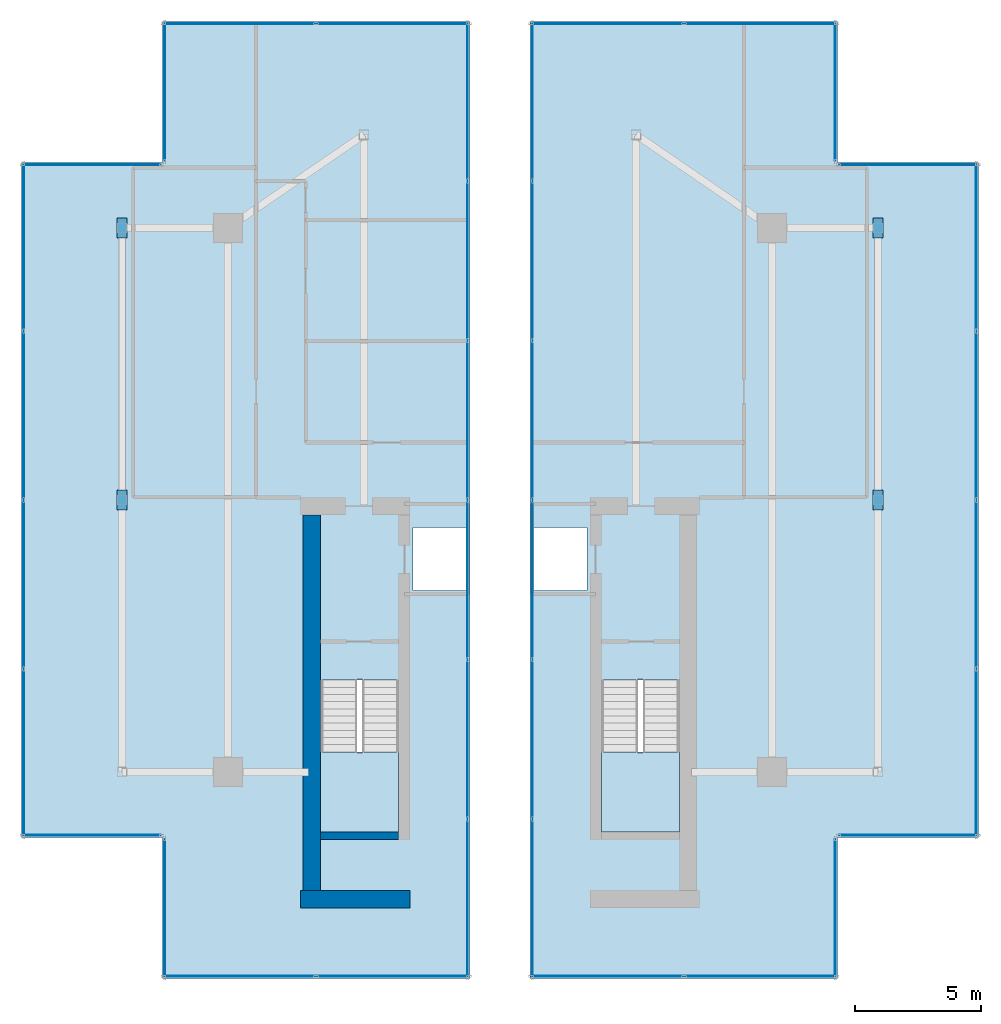
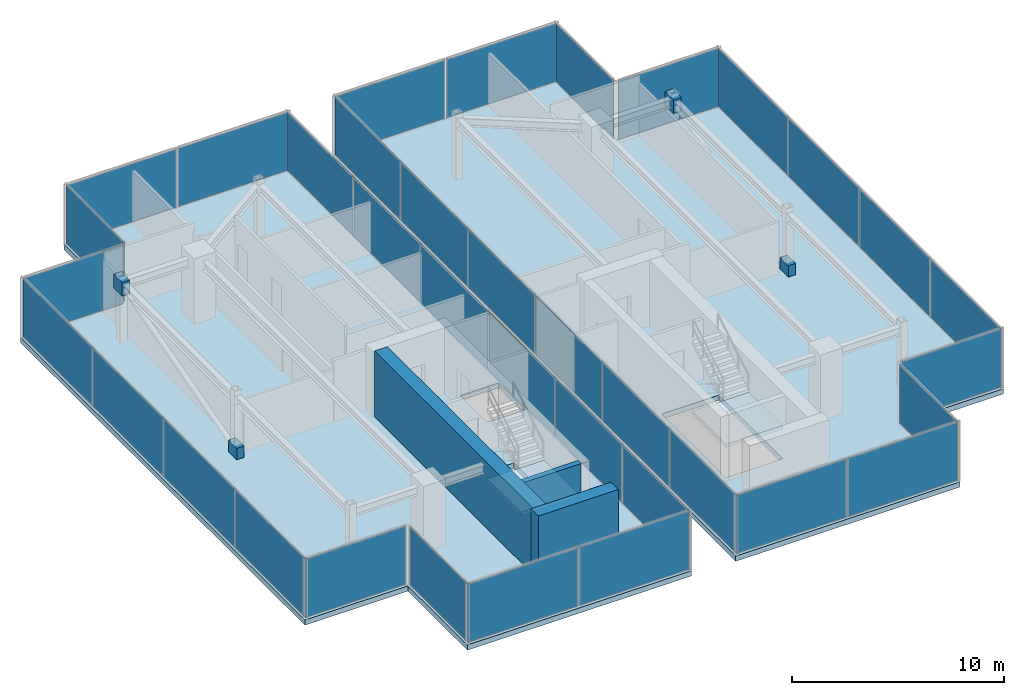
# One storey, part 22 of 25: 40 plates, 4 slabs, 3 walls, 18 elements without a shape of their own.
"""IFC4 building model written with IfcOpenShell, lengths in metres."""

from ifc_helpers import new_model, si_unit, direction, frame, frame_2d, origin, origin_2d, place, context, subcontext, project, spatial, polyline, rectangle, outline, extrude, source, transform, mapped, material, layer, layer_set, type_object, type_shapes, element, aggregate, save


model = new_model("IFC4")

# Units and contexts
model_context = context("Model", 3, precision=1e-05, world=origin(), true_north=direction((0.0, 1.0)))
body_context = subcontext(model_context, "Body", "Model", "MODEL_VIEW")
ifc_project = project(units=[si_unit("LENGTHUNIT", "METRE"), si_unit("AREAUNIT", "SQUARE_METRE"), si_unit("VOLUMEUNIT", "CUBIC_METRE"), si_unit("PLANEANGLEUNIT", "RADIAN"), si_unit("MASSUNIT", "GRAM", prefix="KILO")], contexts=[model_context])

# Site, building, storey
site_placement = place(None, origin())
site = spatial("IfcSite", under=ifc_project, at=site_placement, CompositionType="ELEMENT")
building_placement = place(site_placement, origin())
building = spatial("IfcBuilding", under=site, at=building_placement, Name="Krantzveldt Concourse Tower", CompositionType="ELEMENT")
storey_placement = place(building_placement, frame((0.0, 0.0, 370.85009765625)))
storey = spatial("IfcBuildingStorey", under=building, at=storey_placement, Name="L91", CompositionType="ELEMENT", Elevation=370.85009765625)

# Stair, slab
ifc_material_1 = material(Name="Precast concrete C40/50", Category="concrete")
stair_type = type_object("IfcStairType", Name="STR-CORE-DOGLEG", PredefinedType="HALF_TURN_STAIR", material=ifc_material_1)
stair_1_placement = place(storey_placement, origin())
stair_1 = element("IfcStair", 1, at=stair_1_placement, inside=storey, type_object=stair_type, Name="L91 Protected Escape Stair ST-1", PredefinedType="HALF_TURN_STAIR")
ifc_layer_1 = layer(ifc_material_1, 0.199951171875, Name="Precast concrete C40/50", Category="concrete")
ifc_layer_set_1 = layer_set([ifc_layer_1], Name="Precast concrete C40/50 (SL-LANDING-200)")
slab_type_1 = type_object("IfcSlabType", Name="SL-LANDING-200", PredefinedType="LANDING", material=ifc_layer_set_1)
slab_1_placement = place(storey_placement, frame((0.0, 0.0, 1.699951171875)))
slab_1 = element("IfcSlab", 2, at=slab_1_placement, type_object=slab_type_1, Name="ST-1 landing 1", PredefinedType="LANDING", context=body_context, shape_type="SweptSolid", body=[
    extrude(outline(polyline([(28.8798828125, 16.699951171875), (28.8798828125, 13.52001953125), (31.97998046875, 13.52001953125), (31.97998046875, 16.699951171875), (28.8798828125, 16.699951171875)])), origin(), (0.0, 0.0, 1.0), 0.199951171875),
])
aggregate(stair_1, [slab_1])

stair_2_placement = place(storey_placement, origin())
stair_2 = element("IfcStair", 3, at=stair_2_placement, inside=storey, type_object=stair_type, Name="L91 Protected Escape Stair ST-2", PredefinedType="HALF_TURN_STAIR")
slab_2_placement = place(storey_placement, frame((0.0, 0.0, 1.699951171875)))
slab_2 = element("IfcSlab", 4, at=slab_2_placement, type_object=slab_type_1, Name="ST-2 landing 1", PredefinedType="LANDING", context=body_context, shape_type="SweptSolid", body=[
    extrude(outline(polyline([(40.02001953125, 16.699951171875), (40.02001953125, 13.52001953125), (43.1201171875, 13.52001953125), (43.1201171875, 16.699951171875), (40.02001953125, 16.699951171875)])), origin(), (0.0, 0.0, 1.0), 0.199951171875),
])
aggregate(stair_2, [slab_2])

# Slabs
ifc_material_2 = material(Name="Concrete C40/50", Category="concrete")
ifc_layer_2 = layer(ifc_material_2, 0.300048828125, Name="Concrete C40/50", Category="concrete")
ifc_layer_set_2 = layer_set([ifc_layer_2], Name="Concrete C40/50 (SL-SL-CRN300)")
slab_type_2 = type_object("IfcSlabType", Name="SL-SL-CRN300", PredefinedType="FLOOR", material=ifc_layer_set_2)
slab_3_placement = place(storey_placement, frame((0.0, 0.0, -0.300048828125)))
element("IfcSlab", 5, at=slab_3_placement, inside=storey, type_object=slab_type_2, Name="SL-L91-WEST", PredefinedType="FLOOR", context=body_context, shape_type="SweptSolid", body=[
    extrude(outline(polyline([(22.60009765625, 7.699951171875), (34.800048828125, 7.699951171875), (34.800048828125, 45.699951171875), (22.60009765625, 45.699951171875), (22.60009765625, 40.10009765625), (17.0, 40.10009765625), (17.0, 13.300048828125), (22.60009765625, 13.300048828125), (22.60009765625, 7.699951171875)]), holes=[polyline([(28.8798828125, 19.547607421875), (28.8798828125, 13.52001953125), (31.97998046875, 13.52001953125), (31.97998046875, 19.547607421875), (28.8798828125, 19.547607421875)]), polyline([(32.550048828125, 23.10009765625), (34.64990234375, 23.10009765625), (34.64990234375, 25.60009765625), (32.550048828125, 25.60009765625), (32.550048828125, 23.10009765625)])]), origin(), (0.0, 0.0, 1.0), 0.300048828125),
])
slab_4_placement = place(storey_placement, frame((0.0, 0.0, -0.300048828125)))
element("IfcSlab", 6, at=slab_4_placement, inside=storey, type_object=slab_type_2, Name="SL-L91-EAST", PredefinedType="FLOOR", context=body_context, shape_type="SweptSolid", body=[
    extrude(outline(polyline([(37.199951171875, 7.699951171875), (49.39990234375, 7.699951171875), (49.39990234375, 13.300048828125), (55.0, 13.300048828125), (55.0, 40.10009765625), (49.39990234375, 40.10009765625), (49.39990234375, 45.699951171875), (37.199951171875, 45.699951171875), (37.199951171875, 7.699951171875)]), holes=[polyline([(40.02001953125, 19.547607421875), (40.02001953125, 13.52001953125), (43.1201171875, 13.52001953125), (43.1201171875, 19.547607421875), (40.02001953125, 19.547607421875)]), polyline([(37.35009765625, 23.10009765625), (39.449951171875, 23.10009765625), (39.449951171875, 25.60009765625), (37.35009765625, 25.60009765625), (37.35009765625, 23.10009765625)])]), origin(), (0.0, 0.0, 1.0), 0.300048828125),
])

# Plates
ifc_material_3 = material(Name="Steel S355J2", Category="steel")
ifc_layer_3 = layer(ifc_material_3, 0.0400390625, Name="Steel S355J2", Category="steel")
ifc_layer_set_3 = layer_set([ifc_layer_3], Name="Steel S355J2 (PL-GUSSET-40)")
plate_type_1 = type_object("IfcPlateType", Name="PL-GUSSET-40", PredefinedType="USERDEFINED", material=ifc_layer_set_3)
shared_shape_1 = source(origin(), body_context, "Body", "SweptSolid", [
    extrude(rectangle(XDim=0.39990234375, YDim=0.800048828125, at=origin_2d()), origin(), (0.0, 0.0, 1.0), 0.800048828125),
])
type_shapes(plate_type_1, [shared_shape_1])
for number, where, z_axis, x_axis, name in (
    (7, (21.0, 26.699951171875, -0.14990234375), (0.0, 0.0, 1.0), (1.0, 0.0, 0.0), "CBR-L91-WEST-GP1"),
    (8, (21.0, 37.5, 2.85009765625), (0.0, 0.0, 1.0), (1.0, 0.0, 0.0), "CBR-L91-WEST-GP2"),
    (9, (51.0, 26.699951171875, -0.14990234375), (0.0, 0.0, 1.0), (1.0, 0.0, 0.0), "CBR-L91-EAST-GP1"),
    (10, (51.0, 37.5, 2.85009765625), (0.0, 0.0, 1.0), (1.0, 0.0, 0.0), "CBR-L91-EAST-GP2"),
):
    element("IfcPlate", number, at=place(storey_placement, frame(where, z_axis=z_axis, x_axis=x_axis)), inside=storey, type_object=plate_type_1, Name=name, ObjectType="GUSSET PLATE", PredefinedType="USERDEFINED", context=body_context, shape_type="MappedRepresentation", body=[
        mapped(shared_shape_1, transform((0.0, 0.0, 0.0), x_axis=(1.0, 0.0, 0.0), y_axis=(0.0, 1.0, 0.0), z_axis=(0.0, 0.0, 1.0), scale=1.0)),
    ])

# Curtain wall, plate
ifc_material_4 = material(Name="Anodised aluminium 6063-T6", Category="aluminium")
curtain_wall_type = type_object("IfcCurtainWallType", Name="CW7", PredefinedType="USERDEFINED", material=ifc_material_4)
curtain_wall_1_placement = place(storey_placement, origin())
curtain_wall_1 = element("IfcCurtainWall", 11, at=curtain_wall_1_placement, inside=storey, type_object=curtain_wall_type, Name="CW-L91-WEST-03", ObjectType="UNITISED CURTAIN WALL", PredefinedType="USERDEFINED")
ifc_material_5 = material(Name="Bronze-tinted laminated low-E IGU glass", Category="glass")
ifc_layer_4 = layer(ifc_material_5, 0.031982421875, Name="Bronze-tinted laminated low-E IGU glass", Category="glass")
ifc_layer_set_4 = layer_set([ifc_layer_4], Name="Bronze-tinted laminated low-E IGU glass (CW-GLZ-32)")
plate_type_2 = type_object("IfcPlateType", Name="CW-GLZ-32", PredefinedType="CURTAIN_PANEL", material=ifc_layer_set_4)
shared_shape_2 = source(origin(), body_context, "Body", "SweptSolid", [
    extrude(rectangle(XDim=5.4599609375, YDim=0.031982421875, at=origin_2d()), origin(), (0.0, 0.0, 1.0), 3.360107421875),
])
plate_1_placement = place(storey_placement, frame((22.68994140625, 42.89990234375, 0.06982421875), z_axis=(0.0, 0.0, 1.0), x_axis=(0.0, -1.0, 0.0)))
plate_1 = element("IfcPlate", 12, at=plate_1_placement, type_object=plate_type_2, Name="CW-CRN panel 1.1", PredefinedType="CURTAIN_PANEL", context=body_context, shape_type="MappedRepresentation", body=[
    mapped(shared_shape_2, transform((0.0, 0.0, 0.0), x_axis=(1.0, 0.0, 0.0), y_axis=(0.0, 1.0, 0.0), z_axis=(0.0, 0.0, 1.0), scale=1.0)),
])
aggregate(curtain_wall_1, [plate_1])

curtain_wall_2_placement = place(storey_placement, origin())
curtain_wall_2 = element("IfcCurtainWall", 13, at=curtain_wall_2_placement, inside=storey, type_object=curtain_wall_type, Name="CW-L91-WEST-04", ObjectType="UNITISED CURTAIN WALL", PredefinedType="USERDEFINED")
plate_2_placement = place(storey_placement, frame((19.800048828125, 40.010009765625, 0.06982421875), z_axis=(0.0, 0.0, 1.0), x_axis=(-1.0, 0.0, 0.0)))
plate_2 = element("IfcPlate", 14, at=plate_2_placement, type_object=plate_type_2, Name="CW-CRN panel 1.1", PredefinedType="CURTAIN_PANEL", context=body_context, shape_type="MappedRepresentation", body=[
    mapped(shared_shape_2, transform((0.0, 0.0, 0.0), x_axis=(1.0, 0.0, 0.0), y_axis=(0.0, 1.0, 0.0), z_axis=(0.0, 0.0, 1.0), scale=1.0)),
])
aggregate(curtain_wall_2, [plate_2])

curtain_wall_3_placement = place(storey_placement, origin())
curtain_wall_3 = element("IfcCurtainWall", 15, at=curtain_wall_3_placement, inside=storey, type_object=curtain_wall_type, Name="CW-L91-WEST-06", ObjectType="UNITISED CURTAIN WALL", PredefinedType="USERDEFINED")
plate_3_placement = place(storey_placement, frame((19.800048828125, 13.389892578125, 0.06982421875), z_axis=(0.0, 0.0, 1.0), x_axis=(1.0, 0.0, 0.0)))
plate_3 = element("IfcPlate", 16, at=plate_3_placement, type_object=plate_type_2, Name="CW-CRN panel 1.1", PredefinedType="CURTAIN_PANEL", context=body_context, shape_type="MappedRepresentation", body=[
    mapped(shared_shape_2, transform((0.0, 0.0, 0.0), x_axis=(1.0, 0.0, 0.0), y_axis=(0.0, 1.0, 0.0), z_axis=(0.0, 0.0, 1.0), scale=1.0)),
])
aggregate(curtain_wall_3, [plate_3])

curtain_wall_4_placement = place(storey_placement, origin())
curtain_wall_4 = element("IfcCurtainWall", 17, at=curtain_wall_4_placement, inside=storey, type_object=curtain_wall_type, Name="CW-L91-WEST-07", ObjectType="UNITISED CURTAIN WALL", PredefinedType="USERDEFINED")
plate_4_placement = place(storey_placement, frame((22.68994140625, 10.5, 0.06982421875), z_axis=(0.0, 0.0, 1.0), x_axis=(0.0, -1.0, 0.0)))
plate_4 = element("IfcPlate", 18, at=plate_4_placement, type_object=plate_type_2, Name="CW-CRN panel 1.1", PredefinedType="CURTAIN_PANEL", context=body_context, shape_type="MappedRepresentation", body=[
    mapped(shared_shape_2, transform((0.0, 0.0, 0.0), x_axis=(1.0, 0.0, 0.0), y_axis=(0.0, 1.0, 0.0), z_axis=(0.0, 0.0, 1.0), scale=1.0)),
])
aggregate(curtain_wall_4, [plate_4])

curtain_wall_5_placement = place(storey_placement, origin())
curtain_wall_5 = element("IfcCurtainWall", 19, at=curtain_wall_5_placement, inside=storey, type_object=curtain_wall_type, Name="CW-L91-EAST-01", ObjectType="UNITISED CURTAIN WALL", PredefinedType="USERDEFINED")
plate_5_placement = place(storey_placement, frame((49.31005859375, 10.5, 0.06982421875), z_axis=(0.0, 0.0, 1.0), x_axis=(0.0, 1.0, 0.0)))
plate_5 = element("IfcPlate", 20, at=plate_5_placement, type_object=plate_type_2, Name="CW-CRN panel 1.1", PredefinedType="CURTAIN_PANEL", context=body_context, shape_type="MappedRepresentation", body=[
    mapped(shared_shape_2, transform((0.0, 0.0, 0.0), x_axis=(1.0, 0.0, 0.0), y_axis=(0.0, 1.0, 0.0), z_axis=(0.0, 0.0, 1.0), scale=1.0)),
])
aggregate(curtain_wall_5, [plate_5])

curtain_wall_6_placement = place(storey_placement, origin())
curtain_wall_6 = element("IfcCurtainWall", 21, at=curtain_wall_6_placement, inside=storey, type_object=curtain_wall_type, Name="CW-L91-EAST-02", ObjectType="UNITISED CURTAIN WALL", PredefinedType="USERDEFINED")
plate_6_placement = place(storey_placement, frame((52.199951171875, 13.389892578125, 0.06982421875), z_axis=(0.0, 0.0, 1.0), x_axis=(1.0, 0.0, 0.0)))
plate_6 = element("IfcPlate", 22, at=plate_6_placement, type_object=plate_type_2, Name="CW-CRN panel 1.1", PredefinedType="CURTAIN_PANEL", context=body_context, shape_type="MappedRepresentation", body=[
    mapped(shared_shape_2, transform((0.0, 0.0, 0.0), x_axis=(1.0, 0.0, 0.0), y_axis=(0.0, 1.0, 0.0), z_axis=(0.0, 0.0, 1.0), scale=1.0)),
])
aggregate(curtain_wall_6, [plate_6])

curtain_wall_7_placement = place(storey_placement, origin())
curtain_wall_7 = element("IfcCurtainWall", 23, at=curtain_wall_7_placement, inside=storey, type_object=curtain_wall_type, Name="CW-L91-EAST-04", ObjectType="UNITISED CURTAIN WALL", PredefinedType="USERDEFINED")
plate_7_placement = place(storey_placement, frame((52.199951171875, 40.010009765625, 0.06982421875), z_axis=(0.0, 0.0, 1.0), x_axis=(-1.0, 0.0, 0.0)))
plate_7 = element("IfcPlate", 24, at=plate_7_placement, type_object=plate_type_2, Name="CW-CRN panel 1.1", PredefinedType="CURTAIN_PANEL", context=body_context, shape_type="MappedRepresentation", body=[
    mapped(shared_shape_2, transform((0.0, 0.0, 0.0), x_axis=(1.0, 0.0, 0.0), y_axis=(0.0, 1.0, 0.0), z_axis=(0.0, 0.0, 1.0), scale=1.0)),
])
aggregate(curtain_wall_7, [plate_7])

curtain_wall_8_placement = place(storey_placement, origin())
curtain_wall_8 = element("IfcCurtainWall", 25, at=curtain_wall_8_placement, inside=storey, type_object=curtain_wall_type, Name="CW-L91-EAST-05", ObjectType="UNITISED CURTAIN WALL", PredefinedType="USERDEFINED")
plate_8_placement = place(storey_placement, frame((49.31005859375, 42.89990234375, 0.06982421875), z_axis=(0.0, 0.0, 1.0), x_axis=(0.0, 1.0, 0.0)))
plate_8 = element("IfcPlate", 26, at=plate_8_placement, type_object=plate_type_2, Name="CW-CRN panel 1.1", PredefinedType="CURTAIN_PANEL", context=body_context, shape_type="MappedRepresentation", body=[
    mapped(shared_shape_2, transform((0.0, 0.0, 0.0), x_axis=(1.0, 0.0, 0.0), y_axis=(0.0, 1.0, 0.0), z_axis=(0.0, 0.0, 1.0), scale=1.0)),
])
aggregate(curtain_wall_8, [plate_8])

# Curtain wall, plates
curtain_wall_9_placement = place(storey_placement, origin())
curtain_wall_9 = element("IfcCurtainWall", 27, at=curtain_wall_9_placement, inside=storey, type_object=curtain_wall_type, Name="CW-L91-WEST-05", ObjectType="UNITISED CURTAIN WALL", PredefinedType="USERDEFINED")
shared_shape_3 = source(origin(), body_context, "Body", "SweptSolid", [
    extrude(rectangle(XDim=6.594970703125, YDim=0.031982421875, at=origin_2d()), origin(), (0.0, 0.0, 1.0), 3.360107421875),
])
plate_9_placement = place(storey_placement, frame((17.090087890625, 36.732421875, 0.06982421875), z_axis=(0.0, 0.0, 1.0), x_axis=(0.0, -1.0, 0.0)))
plate_9 = element("IfcPlate", 28, at=plate_9_placement, type_object=plate_type_2, Name="CW-CRN panel 1.1", PredefinedType="CURTAIN_PANEL", context=body_context, shape_type="MappedRepresentation", body=[
    mapped(shared_shape_3, transform((0.0, 0.0, 0.0), x_axis=(1.0, 0.0, 0.0), y_axis=(0.0, 1.0, 0.0), z_axis=(0.0, 0.0, 1.0), scale=1.0)),
])
plate_10_placement = place(storey_placement, frame((17.090087890625, 16.66748046875, 0.06982421875), z_axis=(0.0, 0.0, 1.0), x_axis=(0.0, -1.0, 0.0)))
plate_10 = element("IfcPlate", 29, at=plate_10_placement, type_object=plate_type_2, Name="CW-CRN panel 4.1", PredefinedType="CURTAIN_PANEL", context=body_context, shape_type="MappedRepresentation", body=[
    mapped(shared_shape_3, transform((0.0, 0.0, 0.0), x_axis=(1.0, 0.0, 0.0), y_axis=(0.0, 1.0, 0.0), z_axis=(0.0, 0.0, 1.0), scale=1.0)),
])

curtain_wall_10_placement = place(storey_placement, origin())
curtain_wall_10 = element("IfcCurtainWall", 30, at=curtain_wall_10_placement, inside=storey, type_object=curtain_wall_type, Name="CW-L91-EAST-03", ObjectType="UNITISED CURTAIN WALL", PredefinedType="USERDEFINED")
plate_11_placement = place(storey_placement, frame((54.909912109375, 16.66748046875, 0.06982421875), z_axis=(0.0, 0.0, 1.0), x_axis=(0.0, 1.0, 0.0)))
plate_11 = element("IfcPlate", 31, at=plate_11_placement, type_object=plate_type_2, Name="CW-CRN panel 1.1", PredefinedType="CURTAIN_PANEL", context=body_context, shape_type="MappedRepresentation", body=[
    mapped(shared_shape_3, transform((0.0, 0.0, 0.0), x_axis=(1.0, 0.0, 0.0), y_axis=(0.0, 1.0, 0.0), z_axis=(0.0, 0.0, 1.0), scale=1.0)),
])
plate_12_placement = place(storey_placement, frame((54.909912109375, 36.732421875, 0.06982421875), z_axis=(0.0, 0.0, 1.0), x_axis=(0.0, 1.0, 0.0)))
plate_12 = element("IfcPlate", 32, at=plate_12_placement, type_object=plate_type_2, Name="CW-CRN panel 4.1", PredefinedType="CURTAIN_PANEL", context=body_context, shape_type="MappedRepresentation", body=[
    mapped(shared_shape_3, transform((0.0, 0.0, 0.0), x_axis=(1.0, 0.0, 0.0), y_axis=(0.0, 1.0, 0.0), z_axis=(0.0, 0.0, 1.0), scale=1.0)),
])

# Plate
shared_shape_4 = source(origin(), body_context, "Body", "SweptSolid", [
    extrude(rectangle(XDim=6.6298828125, YDim=0.031982421875, at=origin_2d()), origin(), (0.0, 0.0, 1.0), 3.360107421875),
])
plate_13_placement = place(storey_placement, frame((17.090087890625, 30.050048828125, 0.06982421875), z_axis=(0.0, 0.0, 1.0), x_axis=(0.0, -1.0, 0.0)))
plate_13 = element("IfcPlate", 33, at=plate_13_placement, type_object=plate_type_2, Name="CW-CRN panel 2.1", PredefinedType="CURTAIN_PANEL", context=body_context, shape_type="MappedRepresentation", body=[
    mapped(shared_shape_4, transform((0.0, 0.0, 0.0), x_axis=(1.0, 0.0, 0.0), y_axis=(0.0, 1.0, 0.0), z_axis=(0.0, 0.0, 1.0), scale=1.0)),
])

plate_14_placement = place(storey_placement, frame((17.090087890625, 23.35009765625, 0.06982421875), z_axis=(0.0, 0.0, 1.0), x_axis=(0.0, -1.0, 0.0)))
plate_14 = element("IfcPlate", 34, at=plate_14_placement, type_object=plate_type_2, Name="CW-CRN panel 3.1", PredefinedType="CURTAIN_PANEL", context=body_context, shape_type="MappedRepresentation", body=[
    mapped(shared_shape_4, transform((0.0, 0.0, 0.0), x_axis=(1.0, 0.0, 0.0), y_axis=(0.0, 1.0, 0.0), z_axis=(0.0, 0.0, 1.0), scale=1.0)),
])

aggregate(curtain_wall_9, [plate_9, plate_13, plate_14, plate_10])

plate_15_placement = place(storey_placement, frame((54.909912109375, 23.35009765625, 0.06982421875), z_axis=(0.0, 0.0, 1.0), x_axis=(0.0, 1.0, 0.0)))
plate_15 = element("IfcPlate", 35, at=plate_15_placement, type_object=plate_type_2, Name="CW-CRN panel 2.1", PredefinedType="CURTAIN_PANEL", context=body_context, shape_type="MappedRepresentation", body=[
    mapped(shared_shape_4, transform((0.0, 0.0, 0.0), x_axis=(1.0, 0.0, 0.0), y_axis=(0.0, 1.0, 0.0), z_axis=(0.0, 0.0, 1.0), scale=1.0)),
])

plate_16_placement = place(storey_placement, frame((54.909912109375, 30.050048828125, 0.06982421875), z_axis=(0.0, 0.0, 1.0), x_axis=(0.0, 1.0, 0.0)))
plate_16 = element("IfcPlate", 36, at=plate_16_placement, type_object=plate_type_2, Name="CW-CRN panel 3.1", PredefinedType="CURTAIN_PANEL", context=body_context, shape_type="MappedRepresentation", body=[
    mapped(shared_shape_4, transform((0.0, 0.0, 0.0), x_axis=(1.0, 0.0, 0.0), y_axis=(0.0, 1.0, 0.0), z_axis=(0.0, 0.0, 1.0), scale=1.0)),
])

aggregate(curtain_wall_10, [plate_11, plate_15, plate_16, plate_12])

# Curtain wall, plates
curtain_wall_11_placement = place(storey_placement, origin())
curtain_wall_11 = element("IfcCurtainWall", 37, at=curtain_wall_11_placement, inside=storey, type_object=curtain_wall_type, Name="CW-L91-WEST-00", ObjectType="UNITISED CURTAIN WALL", PredefinedType="USERDEFINED")
shared_shape_5 = source(origin(), body_context, "Body", "SweptSolid", [
    extrude(rectangle(XDim=5.9951171875, YDim=0.031982421875, at=origin_2d()), origin(), (0.0, 0.0, 1.0), 3.360107421875),
])
plate_17_placement = place(storey_placement, frame((25.66748046875, 7.7900390625, 0.06982421875), z_axis=(0.0, 0.0, 1.0), x_axis=(1.0, 0.0, 0.0)))
plate_17 = element("IfcPlate", 38, at=plate_17_placement, type_object=plate_type_2, Name="CW-CRN panel 1.1", PredefinedType="CURTAIN_PANEL", context=body_context, shape_type="MappedRepresentation", body=[
    mapped(shared_shape_5, transform((0.0, 0.0, 0.0), x_axis=(1.0, 0.0, 0.0), y_axis=(0.0, 1.0, 0.0), z_axis=(0.0, 0.0, 1.0), scale=1.0)),
])
plate_18_placement = place(storey_placement, frame((31.732421875, 7.7900390625, 0.06982421875), z_axis=(0.0, 0.0, 1.0), x_axis=(1.0, 0.0, 0.0)))
plate_18 = element("IfcPlate", 39, at=plate_18_placement, type_object=plate_type_2, Name="CW-CRN panel 2.1", PredefinedType="CURTAIN_PANEL", context=body_context, shape_type="MappedRepresentation", body=[
    mapped(shared_shape_5, transform((0.0, 0.0, 0.0), x_axis=(1.0, 0.0, 0.0), y_axis=(0.0, 1.0, 0.0), z_axis=(0.0, 0.0, 1.0), scale=1.0)),
])
aggregate(curtain_wall_11, [plate_17, plate_18])

curtain_wall_12_placement = place(storey_placement, origin())
curtain_wall_12 = element("IfcCurtainWall", 40, at=curtain_wall_12_placement, inside=storey, type_object=curtain_wall_type, Name="CW-L91-WEST-02", ObjectType="UNITISED CURTAIN WALL", PredefinedType="USERDEFINED")
plate_19_placement = place(storey_placement, frame((31.732421875, 45.610107421875, 0.06982421875), z_axis=(0.0, 0.0, 1.0), x_axis=(-1.0, 0.0, 0.0)))
plate_19 = element("IfcPlate", 41, at=plate_19_placement, type_object=plate_type_2, Name="CW-CRN panel 1.1", PredefinedType="CURTAIN_PANEL", context=body_context, shape_type="MappedRepresentation", body=[
    mapped(shared_shape_5, transform((0.0, 0.0, 0.0), x_axis=(1.0, 0.0, 0.0), y_axis=(0.0, 1.0, 0.0), z_axis=(0.0, 0.0, 1.0), scale=1.0)),
])
plate_20_placement = place(storey_placement, frame((25.66748046875, 45.610107421875, 0.06982421875), z_axis=(0.0, 0.0, 1.0), x_axis=(-1.0, 0.0, 0.0)))
plate_20 = element("IfcPlate", 42, at=plate_20_placement, type_object=plate_type_2, Name="CW-CRN panel 2.1", PredefinedType="CURTAIN_PANEL", context=body_context, shape_type="MappedRepresentation", body=[
    mapped(shared_shape_5, transform((0.0, 0.0, 0.0), x_axis=(1.0, 0.0, 0.0), y_axis=(0.0, 1.0, 0.0), z_axis=(0.0, 0.0, 1.0), scale=1.0)),
])
aggregate(curtain_wall_12, [plate_19, plate_20])

curtain_wall_13_placement = place(storey_placement, origin())
curtain_wall_13 = element("IfcCurtainWall", 43, at=curtain_wall_13_placement, inside=storey, type_object=curtain_wall_type, Name="CW-L91-EAST-00", ObjectType="UNITISED CURTAIN WALL", PredefinedType="USERDEFINED")
plate_21_placement = place(storey_placement, frame((40.267578125, 7.7900390625, 0.06982421875), z_axis=(0.0, 0.0, 1.0), x_axis=(1.0, 0.0, 0.0)))
plate_21 = element("IfcPlate", 44, at=plate_21_placement, type_object=plate_type_2, Name="CW-CRN panel 1.1", PredefinedType="CURTAIN_PANEL", context=body_context, shape_type="MappedRepresentation", body=[
    mapped(shared_shape_5, transform((0.0, 0.0, 0.0), x_axis=(1.0, 0.0, 0.0), y_axis=(0.0, 1.0, 0.0), z_axis=(0.0, 0.0, 1.0), scale=1.0)),
])
plate_22_placement = place(storey_placement, frame((46.33251953125, 7.7900390625, 0.06982421875), z_axis=(0.0, 0.0, 1.0), x_axis=(1.0, 0.0, 0.0)))
plate_22 = element("IfcPlate", 45, at=plate_22_placement, type_object=plate_type_2, Name="CW-CRN panel 2.1", PredefinedType="CURTAIN_PANEL", context=body_context, shape_type="MappedRepresentation", body=[
    mapped(shared_shape_5, transform((0.0, 0.0, 0.0), x_axis=(1.0, 0.0, 0.0), y_axis=(0.0, 1.0, 0.0), z_axis=(0.0, 0.0, 1.0), scale=1.0)),
])
aggregate(curtain_wall_13, [plate_21, plate_22])

curtain_wall_14_placement = place(storey_placement, origin())
curtain_wall_14 = element("IfcCurtainWall", 46, at=curtain_wall_14_placement, inside=storey, type_object=curtain_wall_type, Name="CW-L91-EAST-06", ObjectType="UNITISED CURTAIN WALL", PredefinedType="USERDEFINED")
plate_23_placement = place(storey_placement, frame((46.33251953125, 45.610107421875, 0.06982421875), z_axis=(0.0, 0.0, 1.0), x_axis=(-1.0, 0.0, 0.0)))
plate_23 = element("IfcPlate", 47, at=plate_23_placement, type_object=plate_type_2, Name="CW-CRN panel 1.1", PredefinedType="CURTAIN_PANEL", context=body_context, shape_type="MappedRepresentation", body=[
    mapped(shared_shape_5, transform((0.0, 0.0, 0.0), x_axis=(1.0, 0.0, 0.0), y_axis=(0.0, 1.0, 0.0), z_axis=(0.0, 0.0, 1.0), scale=1.0)),
])
plate_24_placement = place(storey_placement, frame((40.267578125, 45.610107421875, 0.06982421875), z_axis=(0.0, 0.0, 1.0), x_axis=(-1.0, 0.0, 0.0)))
plate_24 = element("IfcPlate", 48, at=plate_24_placement, type_object=plate_type_2, Name="CW-CRN panel 2.1", PredefinedType="CURTAIN_PANEL", context=body_context, shape_type="MappedRepresentation", body=[
    mapped(shared_shape_5, transform((0.0, 0.0, 0.0), x_axis=(1.0, 0.0, 0.0), y_axis=(0.0, 1.0, 0.0), z_axis=(0.0, 0.0, 1.0), scale=1.0)),
])
aggregate(curtain_wall_14, [plate_23, plate_24])

curtain_wall_15_placement = place(storey_placement, origin())
curtain_wall_15 = element("IfcCurtainWall", 49, at=curtain_wall_15_placement, inside=storey, type_object=curtain_wall_type, Name="CW-L91-WEST-01", ObjectType="UNITISED CURTAIN WALL", PredefinedType="USERDEFINED")
shared_shape_6 = source(origin(), body_context, "Body", "SweptSolid", [
    extrude(rectangle(XDim=6.228271484375, YDim=0.031982421875, at=origin_2d()), origin(), (0.0, 0.0, 1.0), 3.360107421875),
])
plate_25_placement = place(storey_placement, frame((34.7099609375, 10.88427734375, 0.06982421875), z_axis=(0.0, 0.0, 1.0), x_axis=(0.0, 1.0, 0.0)))
plate_25 = element("IfcPlate", 50, at=plate_25_placement, type_object=plate_type_2, Name="CW-CRN panel 1.1", PredefinedType="CURTAIN_PANEL", context=body_context, shape_type="MappedRepresentation", body=[
    mapped(shared_shape_6, transform((0.0, 0.0, 0.0), x_axis=(1.0, 0.0, 0.0), y_axis=(0.0, 1.0, 0.0), z_axis=(0.0, 0.0, 1.0), scale=1.0)),
])
plate_26_placement = place(storey_placement, frame((34.7099609375, 42.515869140625, 0.06982421875), z_axis=(0.0, 0.0, 1.0), x_axis=(0.0, 1.0, 0.0)))
plate_26 = element("IfcPlate", 51, at=plate_26_placement, type_object=plate_type_2, Name="CW-CRN panel 6.1", PredefinedType="CURTAIN_PANEL", context=body_context, shape_type="MappedRepresentation", body=[
    mapped(shared_shape_6, transform((0.0, 0.0, 0.0), x_axis=(1.0, 0.0, 0.0), y_axis=(0.0, 1.0, 0.0), z_axis=(0.0, 0.0, 1.0), scale=1.0)),
])

curtain_wall_16_placement = place(storey_placement, origin())
curtain_wall_16 = element("IfcCurtainWall", 52, at=curtain_wall_16_placement, inside=storey, type_object=curtain_wall_type, Name="CW-L91-EAST-07", ObjectType="UNITISED CURTAIN WALL", PredefinedType="USERDEFINED")
plate_27_placement = place(storey_placement, frame((37.2900390625, 42.515869140625, 0.06982421875), z_axis=(0.0, 0.0, 1.0), x_axis=(0.0, -1.0, 0.0)))
plate_27 = element("IfcPlate", 53, at=plate_27_placement, type_object=plate_type_2, Name="CW-CRN panel 1.1", PredefinedType="CURTAIN_PANEL", context=body_context, shape_type="MappedRepresentation", body=[
    mapped(shared_shape_6, transform((0.0, 0.0, 0.0), x_axis=(1.0, 0.0, 0.0), y_axis=(0.0, 1.0, 0.0), z_axis=(0.0, 0.0, 1.0), scale=1.0)),
])
plate_28_placement = place(storey_placement, frame((37.2900390625, 10.88427734375, 0.06982421875), z_axis=(0.0, 0.0, 1.0), x_axis=(0.0, -1.0, 0.0)))
plate_28 = element("IfcPlate", 54, at=plate_28_placement, type_object=plate_type_2, Name="CW-CRN panel 6.1", PredefinedType="CURTAIN_PANEL", context=body_context, shape_type="MappedRepresentation", body=[
    mapped(shared_shape_6, transform((0.0, 0.0, 0.0), x_axis=(1.0, 0.0, 0.0), y_axis=(0.0, 1.0, 0.0), z_axis=(0.0, 0.0, 1.0), scale=1.0)),
])

# Plate
shared_shape_7 = source(origin(), body_context, "Body", "SweptSolid", [
    extrude(rectangle(XDim=6.263427734375, YDim=0.031982421875, at=origin_2d()), origin(), (0.0, 0.0, 1.0), 3.360107421875),
])
type_shapes(plate_type_2, [shared_shape_2, shared_shape_3, shared_shape_4, shared_shape_5, shared_shape_6, shared_shape_7])
plate_29_placement = place(storey_placement, frame((34.7099609375, 17.199951171875, 0.06982421875), z_axis=(0.0, 0.0, 1.0), x_axis=(0.0, 1.0, 0.0)))
plate_29 = element("IfcPlate", 55, at=plate_29_placement, type_object=plate_type_2, Name="CW-CRN panel 2.1", PredefinedType="CURTAIN_PANEL", context=body_context, shape_type="MappedRepresentation", body=[
    mapped(shared_shape_7, transform((0.0, 0.0, 0.0), x_axis=(1.0, 0.0, 0.0), y_axis=(0.0, 1.0, 0.0), z_axis=(0.0, 0.0, 1.0), scale=1.0)),
])

plate_30_placement = place(storey_placement, frame((34.7099609375, 23.533447265625, 0.06982421875), z_axis=(0.0, 0.0, 1.0), x_axis=(0.0, 1.0, 0.0)))
plate_30 = element("IfcPlate", 56, at=plate_30_placement, type_object=plate_type_2, Name="CW-CRN panel 3.1", PredefinedType="CURTAIN_PANEL", context=body_context, shape_type="MappedRepresentation", body=[
    mapped(shared_shape_7, transform((0.0, 0.0, 0.0), x_axis=(1.0, 0.0, 0.0), y_axis=(0.0, 1.0, 0.0), z_axis=(0.0, 0.0, 1.0), scale=1.0)),
])

plate_31_placement = place(storey_placement, frame((34.7099609375, 29.86669921875, 0.06982421875), z_axis=(0.0, 0.0, 1.0), x_axis=(0.0, 1.0, 0.0)))
plate_31 = element("IfcPlate", 57, at=plate_31_placement, type_object=plate_type_2, Name="CW-CRN panel 4.1", PredefinedType="CURTAIN_PANEL", context=body_context, shape_type="MappedRepresentation", body=[
    mapped(shared_shape_7, transform((0.0, 0.0, 0.0), x_axis=(1.0, 0.0, 0.0), y_axis=(0.0, 1.0, 0.0), z_axis=(0.0, 0.0, 1.0), scale=1.0)),
])

plate_32_placement = place(storey_placement, frame((34.7099609375, 36.199951171875, 0.06982421875), z_axis=(0.0, 0.0, 1.0), x_axis=(0.0, 1.0, 0.0)))
plate_32 = element("IfcPlate", 58, at=plate_32_placement, type_object=plate_type_2, Name="CW-CRN panel 5.1", PredefinedType="CURTAIN_PANEL", context=body_context, shape_type="MappedRepresentation", body=[
    mapped(shared_shape_7, transform((0.0, 0.0, 0.0), x_axis=(1.0, 0.0, 0.0), y_axis=(0.0, 1.0, 0.0), z_axis=(0.0, 0.0, 1.0), scale=1.0)),
])

aggregate(curtain_wall_15, [plate_25, plate_29, plate_30, plate_31, plate_32, plate_26])

plate_33_placement = place(storey_placement, frame((37.2900390625, 36.199951171875, 0.06982421875), z_axis=(0.0, 0.0, 1.0), x_axis=(0.0, -1.0, 0.0)))
plate_33 = element("IfcPlate", 59, at=plate_33_placement, type_object=plate_type_2, Name="CW-CRN panel 2.1", PredefinedType="CURTAIN_PANEL", context=body_context, shape_type="MappedRepresentation", body=[
    mapped(shared_shape_7, transform((0.0, 0.0, 0.0), x_axis=(1.0, 0.0, 0.0), y_axis=(0.0, 1.0, 0.0), z_axis=(0.0, 0.0, 1.0), scale=1.0)),
])

plate_34_placement = place(storey_placement, frame((37.2900390625, 29.86669921875, 0.06982421875), z_axis=(0.0, 0.0, 1.0), x_axis=(0.0, -1.0, 0.0)))
plate_34 = element("IfcPlate", 60, at=plate_34_placement, type_object=plate_type_2, Name="CW-CRN panel 3.1", PredefinedType="CURTAIN_PANEL", context=body_context, shape_type="MappedRepresentation", body=[
    mapped(shared_shape_7, transform((0.0, 0.0, 0.0), x_axis=(1.0, 0.0, 0.0), y_axis=(0.0, 1.0, 0.0), z_axis=(0.0, 0.0, 1.0), scale=1.0)),
])

plate_35_placement = place(storey_placement, frame((37.2900390625, 23.533447265625, 0.06982421875), z_axis=(0.0, 0.0, 1.0), x_axis=(0.0, -1.0, 0.0)))
plate_35 = element("IfcPlate", 61, at=plate_35_placement, type_object=plate_type_2, Name="CW-CRN panel 4.1", PredefinedType="CURTAIN_PANEL", context=body_context, shape_type="MappedRepresentation", body=[
    mapped(shared_shape_7, transform((0.0, 0.0, 0.0), x_axis=(1.0, 0.0, 0.0), y_axis=(0.0, 1.0, 0.0), z_axis=(0.0, 0.0, 1.0), scale=1.0)),
])

plate_36_placement = place(storey_placement, frame((37.2900390625, 17.199951171875, 0.06982421875), z_axis=(0.0, 0.0, 1.0), x_axis=(0.0, -1.0, 0.0)))
plate_36 = element("IfcPlate", 62, at=plate_36_placement, type_object=plate_type_2, Name="CW-CRN panel 5.1", PredefinedType="CURTAIN_PANEL", context=body_context, shape_type="MappedRepresentation", body=[
    mapped(shared_shape_7, transform((0.0, 0.0, 0.0), x_axis=(1.0, 0.0, 0.0), y_axis=(0.0, 1.0, 0.0), z_axis=(0.0, 0.0, 1.0), scale=1.0)),
])

aggregate(curtain_wall_16, [plate_27, plate_33, plate_34, plate_35, plate_36, plate_28])

# Walls
ifc_material_6 = material(Name="Concrete C50/60", Category="concrete")
ifc_layer_5 = layer(ifc_material_6, 0.300048828125, Name="Concrete C50/60", Category="concrete")
ifc_layer_set_5 = layer_set([ifc_layer_5], Name="Concrete C50/60 (WL-SHEAR-300)")
wall_type_1 = type_object("IfcWallType", Name="WL-SHEAR-300", PredefinedType="SHEAR", material=ifc_layer_set_5)
wall_1_placement = place(storey_placement, frame((28.8798828125, 13.3701171875, 0.0), z_axis=(0.0, 0.0, 1.0), x_axis=(1.0, 0.0, 0.0)))
element("IfcWall", 63, at=wall_1_placement, inside=storey, type_object=wall_type_1, Name="CW-L91-ST1S", PredefinedType="SHEAR", context=body_context, shape_type="SweptSolid", body=[
    extrude(rectangle(XDim=3.10009765625, YDim=0.300048828125, at=frame_2d((1.550048828125, 0.0))), origin(), (0.0, 0.0, 1.0), 3.7998046875),
])
ifc_layer_6 = layer(ifc_material_6, 0.699951171875, Name="Concrete C50/60", Category="concrete")
ifc_layer_set_6 = layer_set([ifc_layer_6], Name="Concrete C50/60 (WL-SHEAR-700)")
wall_type_2 = type_object("IfcWallType", Name="WL-SHEAR-700", PredefinedType="SHEAR", material=ifc_layer_set_6)
wall_2_placement = place(storey_placement, frame((28.080078125, 10.85009765625, 0.0), z_axis=(0.0, 0.0, 1.0), x_axis=(1.0, 0.0, 0.0)))
element("IfcWall", 64, at=wall_2_placement, inside=storey, type_object=wall_type_2, Name="CW-L91-WC-S", PredefinedType="SHEAR", context=body_context, shape_type="SweptSolid", body=[
    extrude(rectangle(XDim=4.349853515625, YDim=0.699951171875, at=frame_2d((2.1748046875, 0.0))), origin(), (0.0, 0.0, 1.0), 3.7998046875),
])
wall_3_placement = place(storey_placement, frame((28.530029296875, 11.199951171875, 0.0), z_axis=(0.0, 0.0, 1.0), x_axis=(0.0, 1.0, 0.0)))
element("IfcWall", 65, at=wall_3_placement, inside=storey, type_object=wall_type_2, Name="CW-L91-WC-W", PredefinedType="SHEAR", context=body_context, shape_type="SweptSolid", body=[
    extrude(rectangle(XDim=14.900146484375, YDim=0.699951171875, at=frame_2d((7.4501953125, 0.0))), origin(), (0.0, 0.0, 1.0), 3.7998046875),
])

save(model, "model.ifc")
